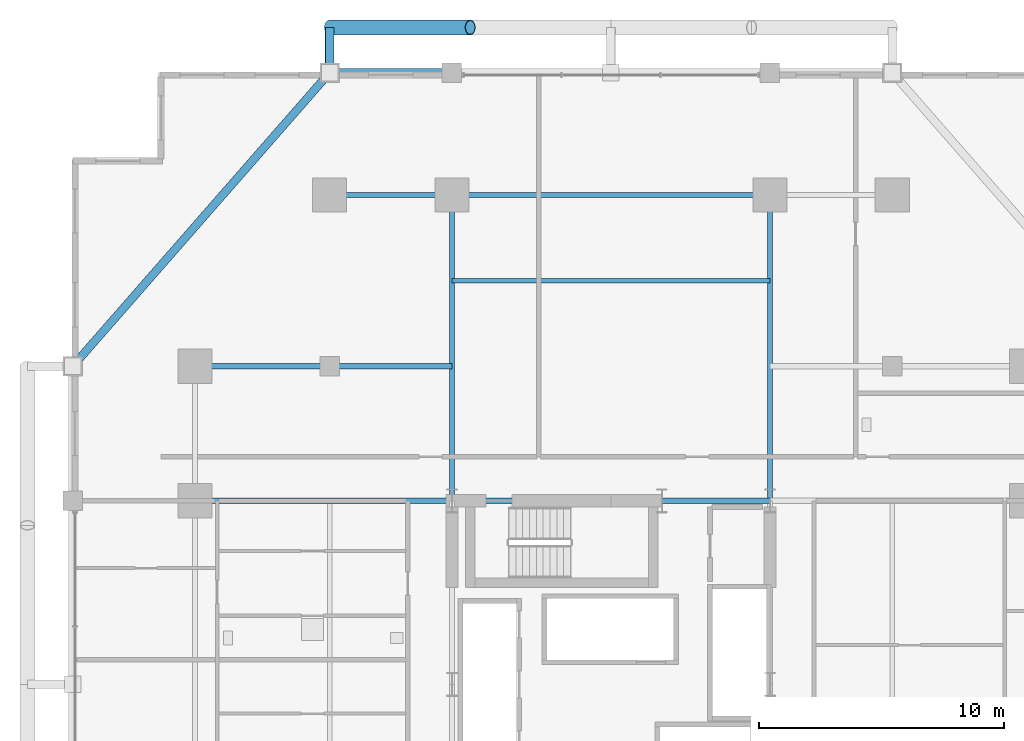
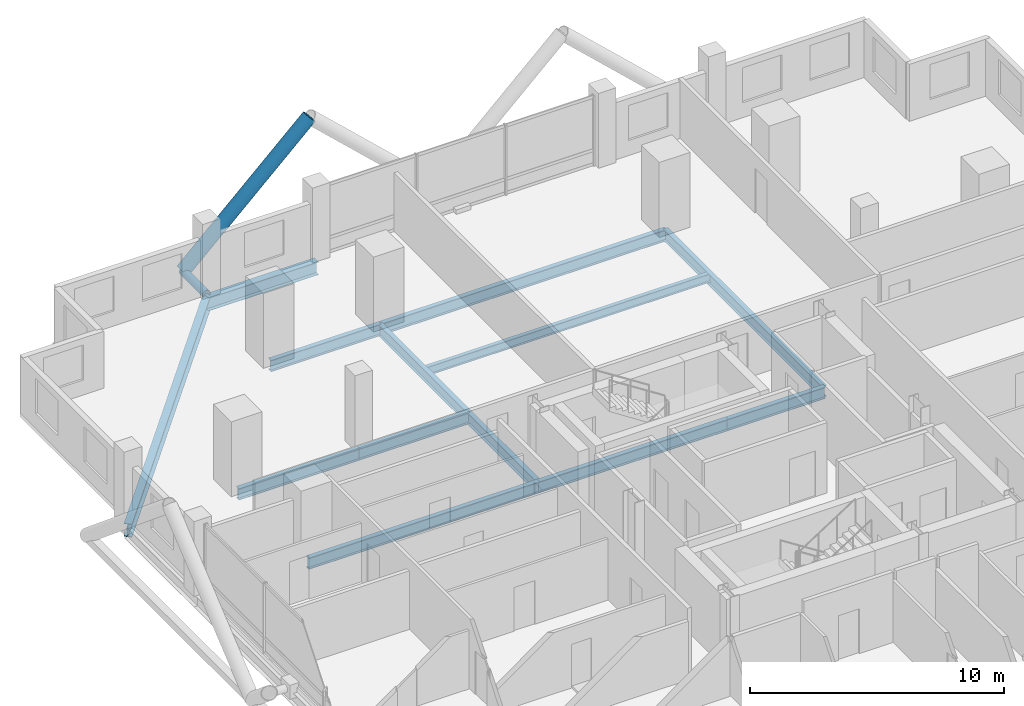
# One storey, part 14 of 27: 12 beams, 2 members.
"""IFC4 building model written with IfcOpenShell, lengths in metres."""

from ifc_helpers import new_model, si_unit, direction, frame, origin, origin_2d, place, context, subcontext, project, spatial, hollow_circle, i_section, extrude, material, material_profile, profile_set, type_object, element, save


model = new_model("IFC4")

# Units and contexts
model_context = context("Model", 3, precision=1e-05, world=origin(), true_north=direction((0.0, 1.0)))
body_context = subcontext(model_context, "Body", "Model", "MODEL_VIEW")
ifc_project = project(units=[si_unit("LENGTHUNIT", "METRE"), si_unit("AREAUNIT", "SQUARE_METRE"), si_unit("VOLUMEUNIT", "CUBIC_METRE"), si_unit("PLANEANGLEUNIT", "RADIAN"), si_unit("MASSUNIT", "GRAM", prefix="KILO")], contexts=[model_context])

# Site, building, storey
site_placement = place(None, origin())
site = spatial("IfcSite", under=ifc_project, at=site_placement, CompositionType="ELEMENT")
building_placement = place(site_placement, origin())
building = spatial("IfcBuilding", under=site, at=building_placement, Name="Barlavira Tower and Art Museum", CompositionType="ELEMENT")
storey_placement = place(building_placement, frame((0.0, 0.0, 50.39990234375)))
storey = spatial("IfcBuildingStorey", under=building, at=storey_placement, Name="L11", CompositionType="ELEMENT", Elevation=50.39990234375)

# Members
ifc_material = material(Name="Steel S355", Category="steel")
ifc_material_profile_1 = material_profile(ifc_material, hollow_circle(Radius=0.304931640625, WallThickness=0.028076171875, at=origin_2d()), Name="CHS 610.0x28.0")
ifc_profile_set_1 = profile_set([ifc_material_profile_1], Name="Steel S355")
member_type_1 = type_object("IfcMemberType", Name="Pale-Metal Exoskeleton Diagrid Tube CHS 610x28 Steel S355", PredefinedType="BRACE", material=ifc_profile_set_1)
member_1_placement = place(storey_placement, frame((-11.5, 26.85009765625, -0.119873046875), z_axis=(0.728950095515, 0.0, 0.684566839869), x_axis=(0.0, 1.0, 0.0)))
element("IfcMember", 1, at=member_1_placement, inside=storey, type_object=member_type_1, Name="L11 Exoskeleton Diagrid Tube N", PredefinedType="BRACE", context=body_context, shape_type="SweptSolid", body=[
    extrude(hollow_circle(Radius=0.304931640625, WallThickness=0.028076171875, at=origin_2d()), origin(), (0.0, 0.0, 1.0), 7.887939453125),
])
ifc_material_profile_2 = material_profile(ifc_material, hollow_circle(Radius=0.177734375, WallThickness=0.01611328125, at=origin_2d()), Name="CHS 355.6x16.0")
ifc_profile_set_2 = profile_set([ifc_material_profile_2], Name="Steel S355")
member_type_2 = type_object("IfcMemberType", Name="Pale-Metal Exoskeleton Tie Strut CHS 356x16 Steel S355", PredefinedType="STRUT", material=ifc_profile_set_2)
member_2_placement = place(storey_placement, frame((-11.5, 26.85009765625, -0.119873046875), z_axis=(0.0, -1.0, 0.0), x_axis=(1.0, 0.0, 0.0)))
element("IfcMember", 2, at=member_2_placement, inside=storey, type_object=member_type_2, Name="L11 Exoskeleton Tie Strut N1", PredefinedType="STRUT", context=body_context, shape_type="SweptSolid", body=[
    extrude(hollow_circle(Radius=0.177734375, WallThickness=0.01611328125, at=origin_2d()), origin(), (0.0, 0.0, 1.0), 1.85009765625),
])

# Beams
ifc_material_profile_3 = material_profile(ifc_material, i_section(OverallWidth=0.327880859375, OverallDepth=0.62890625, WebThickness=0.013916015625, FlangeThickness=0.021484375, at=origin_2d()), Name="W610x174.0")
ifc_profile_set_3 = profile_set([ifc_material_profile_3], Name="Steel S355")
beam_type_1 = type_object("IfcBeamType", Name="Perimeter Spandrel Edge Beam W610x174 Steel S355", PredefinedType="SPANDREL", material=ifc_profile_set_3)
beam_1_placement = place(storey_placement, frame((-11.5, 25.0, -0.534423828125), z_axis=(1.0, 0.0, 0.0), x_axis=(0.0, 1.0, 0.0)))
element("IfcBeam", 3, at=beam_1_placement, inside=storey, type_object=beam_type_1, Name="L11 Spandrel 11", PredefinedType="SPANDREL", context=body_context, shape_type="SweptSolid", body=[
    extrude(i_section(OverallWidth=0.327880859375, OverallDepth=0.62890625, WebThickness=0.013916015625, FlangeThickness=0.021484375, at=origin_2d()), origin(), (0.0, 0.0, 1.0), 5.0),
])
beam_2_placement = place(storey_placement, frame((-11.5, 25.0, -0.534423828125), z_axis=(-0.658504607869, -0.752576694707, 0.0), x_axis=(0.752576694707, -0.658504607869, 0.0)))
element("IfcBeam", 4, at=beam_2_placement, inside=storey, type_object=beam_type_1, Name="L11 Spandrel 12", PredefinedType="SPANDREL", context=body_context, shape_type="SweptSolid", body=[
    extrude(i_section(OverallWidth=0.327880859375, OverallDepth=0.62890625, WebThickness=0.013916015625, FlangeThickness=0.021484375, at=origin_2d()), origin(), (0.0, 0.0, 1.0), 15.9453125),
])
ifc_material_profile_4 = material_profile(ifc_material, i_section(OverallWidth=0.180908203125, OverallDepth=0.4169921875, WebThickness=0.010986328125, FlangeThickness=0.018310546875, at=origin_2d()), Name="W410x85.0")
ifc_profile_set_4 = profile_set([ifc_material_profile_4], Name="Steel S355")
beam_type_2 = type_object("IfcBeamType", Name="Zone 1 Composite Floor Joist W410x85 Steel S355", PredefinedType="JOIST", material=ifc_profile_set_4)
beam_3_placement = place(storey_placement, frame((-6.5, 16.5, -0.428466796875), z_axis=(1.0, 0.0, 0.0), x_axis=(0.0, 1.0, 0.0)))
element("IfcBeam", 5, at=beam_3_placement, inside=storey, type_object=beam_type_2, Name="L11 Joist C2", PredefinedType="JOIST", context=body_context, shape_type="SweptSolid", body=[
    extrude(i_section(OverallWidth=0.180908203125, OverallDepth=0.4169921875, WebThickness=0.010986328125, FlangeThickness=0.018310546875, at=origin_2d()), origin(), (0.0, 0.0, 1.0), 13.0),
])
ifc_material_profile_5 = material_profile(ifc_material, i_section(OverallWidth=0.214111328125, OverallDepth=0.549072265625, WebThickness=0.0146484375, FlangeThickness=0.023681640625, at=origin_2d()), Name="W530x138.0")
ifc_profile_set_5 = profile_set([ifc_material_profile_5], Name="Steel S355")
beam_type_3 = type_object("IfcBeamType", Name="Zone 1 Primary Floor Girder W530x138 Steel S355", PredefinedType="BEAM", material=ifc_profile_set_5)
beam_4_placement = place(storey_placement, frame((-6.5, 7.5, -0.494384765625), z_axis=(1.0, 0.0, 0.0), x_axis=(0.0, 1.0, 0.0)))
element("IfcBeam", 6, at=beam_4_placement, inside=storey, type_object=beam_type_3, Name="L11 Girder C-N1", PredefinedType="BEAM", context=body_context, shape_type="SweptSolid", body=[
    extrude(i_section(OverallWidth=0.214111328125, OverallDepth=0.549072265625, WebThickness=0.0146484375, FlangeThickness=0.023681640625, at=origin_2d()), origin(), (0.0, 0.0, 1.0), 8.580078125),
])
beam_5_placement = place(storey_placement, frame((2.080078125, 7.5, -0.494384765625), z_axis=(1.0, 0.0, 0.0), x_axis=(0.0, 1.0, 0.0)))
element("IfcBeam", 7, at=beam_5_placement, inside=storey, type_object=beam_type_3, Name="L11 Girder C-N2", PredefinedType="BEAM", context=body_context, shape_type="SweptSolid", body=[
    extrude(i_section(OverallWidth=0.214111328125, OverallDepth=0.549072265625, WebThickness=0.0146484375, FlangeThickness=0.023681640625, at=origin_2d()), origin(), (0.0, 0.0, 1.0), 4.419921875),
])
beam_6_placement = place(storey_placement, frame((-11.5, 20.0, -0.494384765625), z_axis=(1.0, 0.0, 0.0), x_axis=(0.0, 1.0, 0.0)))
element("IfcBeam", 8, at=beam_6_placement, inside=storey, type_object=beam_type_3, Name="L11 Girder M-N1", PredefinedType="BEAM", context=body_context, shape_type="SweptSolid", body=[
    extrude(i_section(OverallWidth=0.214111328125, OverallDepth=0.549072265625, WebThickness=0.0146484375, FlangeThickness=0.023681640625, at=origin_2d()), origin(), (0.0, 0.0, 1.0), 5.0),
])
beam_7_placement = place(storey_placement, frame((-6.5, 20.0, -0.494384765625), z_axis=(1.0, 0.0, 0.0), x_axis=(0.0, 1.0, 0.0)))
element("IfcBeam", 9, at=beam_7_placement, inside=storey, type_object=beam_type_3, Name="L11 Girder M-N2", PredefinedType="BEAM", context=body_context, shape_type="SweptSolid", body=[
    extrude(i_section(OverallWidth=0.214111328125, OverallDepth=0.549072265625, WebThickness=0.0146484375, FlangeThickness=0.023681640625, at=origin_2d()), origin(), (0.0, 0.0, 1.0), 13.0),
])
for number, where, z_axis, x_axis, name in (
    (10, (-6.5, 7.5, -0.494384765625), (0.0, 1.0, 0.0), (-1.0, 0.0, 0.0), "L11 Girder R-N1"),
    (11, (6.5, 7.5, -0.494384765625), (0.0, 1.0, 0.0), (-1.0, 0.0, 0.0), "L11 Girder R-N2"),
):
    element("IfcBeam", number, at=place(storey_placement, frame(where, z_axis=z_axis, x_axis=x_axis)), inside=storey, type_object=beam_type_3, Name=name, PredefinedType="BEAM", context=body_context, shape_type="SweptSolid", body=[
        extrude(i_section(OverallWidth=0.214111328125, OverallDepth=0.549072265625, WebThickness=0.0146484375, FlangeThickness=0.023681640625, at=origin_2d()), origin(), (0.0, 0.0, 1.0), 12.5),
    ])
beam_8_placement = place(storey_placement, frame((-17.0, 7.5, -0.494384765625), z_axis=(1.0, 0.0, 0.0), x_axis=(0.0, 1.0, 0.0)))
element("IfcBeam", 12, at=beam_8_placement, inside=storey, type_object=beam_type_3, Name="L11 Girder R-W2", PredefinedType="BEAM", context=body_context, shape_type="SweptSolid", body=[
    extrude(i_section(OverallWidth=0.214111328125, OverallDepth=0.549072265625, WebThickness=0.0146484375, FlangeThickness=0.023681640625, at=origin_2d()), origin(), (0.0, 0.0, 1.0), 10.5),
])
beam_9_placement = place(storey_placement, frame((-17.0, 13.0, -0.494384765625), z_axis=(1.0, 0.0, 0.0), x_axis=(0.0, 1.0, 0.0)))
element("IfcBeam", 13, at=beam_9_placement, inside=storey, type_object=beam_type_3, Name="L11 Girder I-N1", PredefinedType="BEAM", context=body_context, shape_type="SweptSolid", body=[
    extrude(i_section(OverallWidth=0.214111328125, OverallDepth=0.549072265625, WebThickness=0.0146484375, FlangeThickness=0.023681640625, at=origin_2d()), origin(), (0.0, 0.0, 1.0), 5.5),
])
beam_10_placement = place(storey_placement, frame((-11.5, 13.0, -0.494384765625), z_axis=(1.0, 0.0, 0.0), x_axis=(0.0, 1.0, 0.0)))
element("IfcBeam", 14, at=beam_10_placement, inside=storey, type_object=beam_type_3, Name="L11 Girder I-N2", PredefinedType="BEAM", context=body_context, shape_type="SweptSolid", body=[
    extrude(i_section(OverallWidth=0.214111328125, OverallDepth=0.549072265625, WebThickness=0.0146484375, FlangeThickness=0.023681640625, at=origin_2d()), origin(), (0.0, 0.0, 1.0), 5.0),
])

save(model, "model.ifc")
